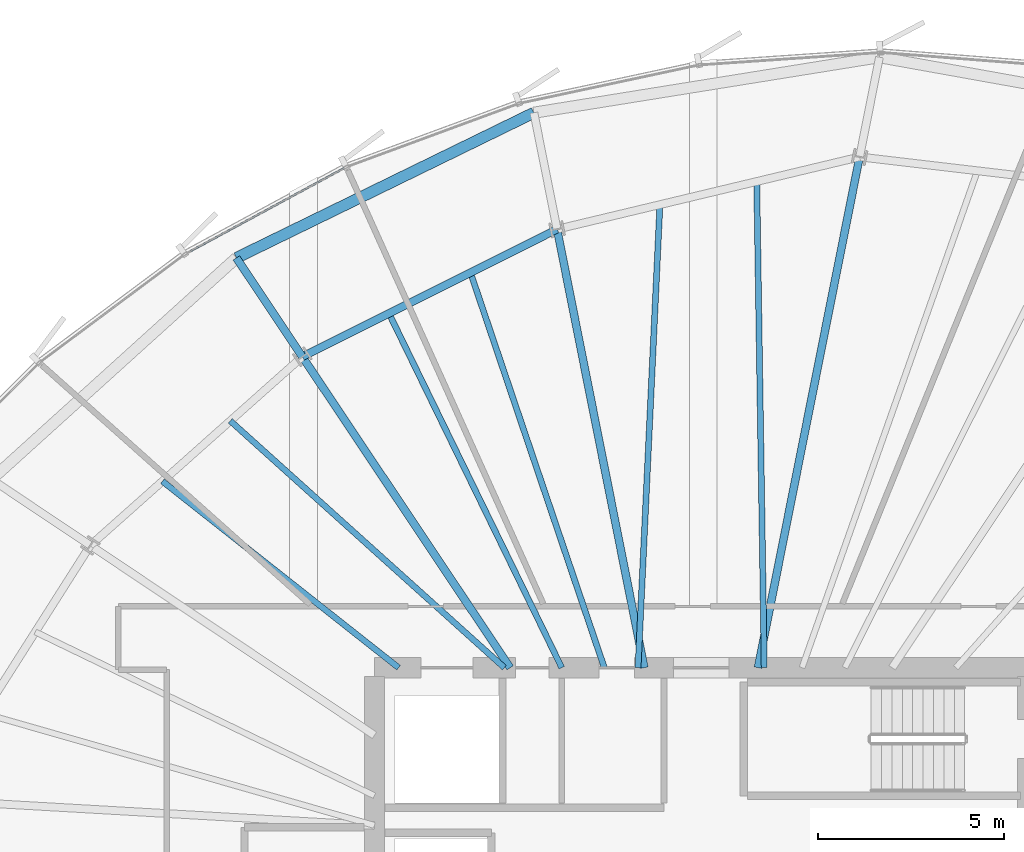
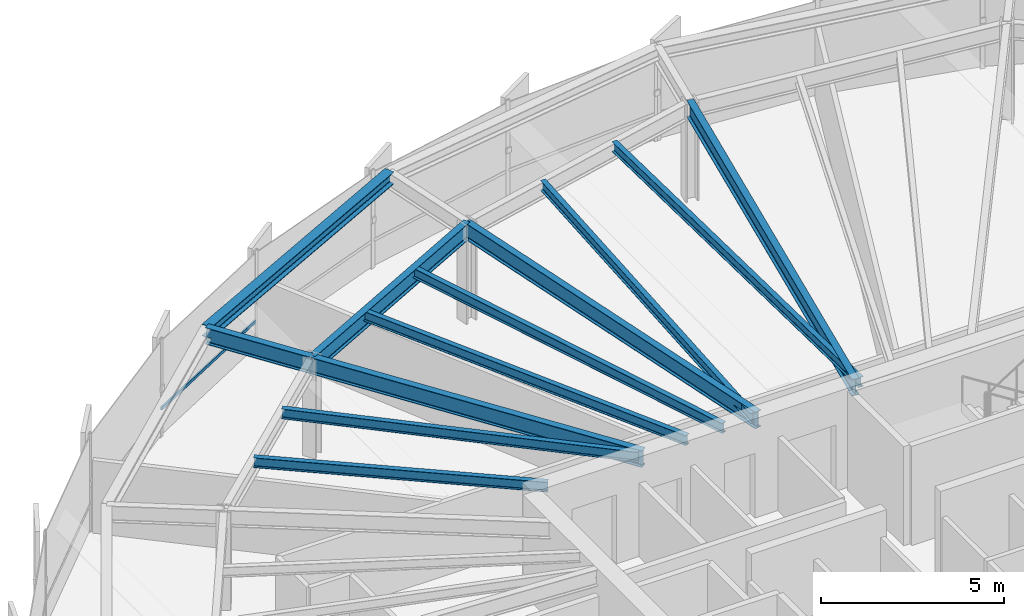
# One storey, part 22 of 37: 12 beams, 1 member, 1 element without a shape of its own.
"""IFC4 building model written with IfcOpenShell, lengths in metres."""

from ifc_helpers import new_model, si_unit, direction, frame, origin, origin_2d, place, context, subcontext, project, spatial, hollow_rectangle, i_section, extrude, source, transform, mapped, material, layer, layer_set, material_profile, profile_set, type_object, element, aggregate, save


model = new_model("IFC4")

# Units and contexts
model_context = context("Model", 3, precision=1e-05, world=origin(), true_north=direction((0.0, 1.0)))
body_context = subcontext(model_context, "Body", "Model", "MODEL_VIEW")
ifc_project = project(units=[si_unit("LENGTHUNIT", "METRE"), si_unit("AREAUNIT", "SQUARE_METRE"), si_unit("VOLUMEUNIT", "CUBIC_METRE"), si_unit("PLANEANGLEUNIT", "RADIAN"), si_unit("MASSUNIT", "GRAM", prefix="KILO"), si_unit("THERMODYNAMICTEMPERATUREUNIT", "KELVIN")], contexts=[model_context])

# Site, building, storey
site_placement = place(None, origin())
site = spatial("IfcSite", under=ifc_project, at=site_placement, CompositionType="ELEMENT")
building_placement = place(site_placement, origin())
building = spatial("IfcBuilding", under=site, at=building_placement, Name="Kethvar Cultural Tower", CompositionType="ELEMENT")
storey_placement = place(building_placement, frame((0.0, 0.0, 132.35009765625)))
storey = spatial("IfcBuildingStorey", under=building, at=storey_placement, Name="L33", CompositionType="ELEMENT", Elevation=132.35009765625)

# Beams
ifc_material_1 = material(Name="Steel S355J2", Category="steel")
ifc_material_profile_1 = material_profile(ifc_material_1, i_section(OverallWidth=0.2099609375, OverallDepth=0.550048828125, WebThickness=0.010986328125, FlangeThickness=0.01708984375, FilletRadius=0.02392578125, at=origin_2d()), Name="Steel S355J2 — IPE550")
ifc_profile_set_1 = profile_set([ifc_material_profile_1], Name="Steel S355J2 — IPE550")
beam_type_1 = type_object("IfcBeamType", Name="BM-IPE550", PredefinedType="BEAM", material=ifc_profile_set_1)
shared_shape_1 = source(origin(), body_context, "Body", "SweptSolid", [
    extrude(i_section(OverallWidth=0.2099609375, OverallDepth=0.550048828125, WebThickness=0.010986328125, FlangeThickness=0.01708984375, FilletRadius=0.02392578125, at=origin_2d()), origin(), (0.0, 0.0, 1.0), 3.2001953125),
])
beam_1_placement = place(storey_placement, frame((36.0576171875, 43.877197265625, 3.02294921875), z_axis=(-0.555544970406, 0.831486491686, 0.0), x_axis=(-0.831486491686, -0.555544970406, 0.0)))
element("IfcBeam", 1, at=beam_1_placement, inside=storey, type_object=beam_type_1, Name="L33 Perimeter Cantilever Beam RC-06", PredefinedType="BEAM", context=body_context, shape_type="MappedRepresentation", body=[
    mapped(shared_shape_1, transform((0.0, 0.0, 0.0), scale=1.0)),
])
shared_shape_2 = source(origin(), body_context, "Body", "SweptSolid", [
    extrude(i_section(OverallWidth=0.2099609375, OverallDepth=0.550048828125, WebThickness=0.010986328125, FlangeThickness=0.01708984375, FilletRadius=0.02392578125, at=origin_2d()), origin(), (0.0, 0.0, 1.0), 14.02880859375),
])
beam_2_placement = place(storey_placement, frame((48.33154296875, 35.5, 3.02294921875), z_axis=(0.195101986683, 0.980782960085, 0.0), x_axis=(-0.980782960085, 0.195101986683, 0.0)))
element("IfcBeam", 2, at=beam_2_placement, inside=storey, type_object=beam_type_1, Name="L33 Primary Radial Beam RB-04", PredefinedType="BEAM", context=body_context, shape_type="MappedRepresentation", body=[
    mapped(shared_shape_2, transform((0.0, 0.0, 0.0), scale=1.0)),
])
shared_shape_3 = source(origin(), body_context, "Body", "SweptSolid", [
    extrude(i_section(OverallWidth=0.2099609375, OverallDepth=0.550048828125, WebThickness=0.010986328125, FlangeThickness=0.01708984375, FilletRadius=0.02392578125, at=origin_2d()), origin(), (0.0, 0.0, 1.0), 12.042724609375),
])
beam_3_placement = place(storey_placement, frame((45.268310546875, 35.5, 3.02294921875), z_axis=(-0.195086784047, 0.980785984142, 0.0), x_axis=(-0.980785984142, -0.195086784047, 0.0)))
element("IfcBeam", 3, at=beam_3_placement, inside=storey, type_object=beam_type_1, Name="L33 Primary Radial Beam RB-05", PredefinedType="BEAM", context=body_context, shape_type="MappedRepresentation", body=[
    mapped(shared_shape_3, transform((0.0, 0.0, 0.0), scale=1.0)),
])
shared_shape_4 = source(origin(), body_context, "Body", "SweptSolid", [
    extrude(i_section(OverallWidth=0.2099609375, OverallDepth=0.550048828125, WebThickness=0.010986328125, FlangeThickness=0.01708984375, FilletRadius=0.02392578125, at=origin_2d()), origin(), (0.0, 0.0, 1.0), 10.0751953125),
])
beam_4_placement = place(storey_placement, frame((41.655029296875, 35.5, 3.02294921875), z_axis=(-0.555566654614, 0.831472003305, 0.0), x_axis=(-0.831472003305, -0.555566654614, 0.0)))
element("IfcBeam", 4, at=beam_4_placement, inside=storey, type_object=beam_type_1, Name="L33 Primary Radial Beam RB-06", PredefinedType="BEAM", context=body_context, shape_type="MappedRepresentation", body=[
    mapped(shared_shape_4, transform((0.0, 0.0, 0.0), scale=1.0)),
])
ifc_material_profile_2 = material_profile(ifc_material_1, i_section(OverallWidth=0.159912109375, OverallDepth=0.330078125, WebThickness=0.007568359375, FlangeThickness=0.011474609375, FilletRadius=0.01806640625, at=origin_2d()), Name="Steel S355J2 — IPE330")
ifc_profile_set_2 = profile_set([ifc_material_profile_2], Name="Steel S355J2 — IPE330")
beam_type_2 = type_object("IfcBeamType", Name="BM-J330", PredefinedType="JOIST", material=ifc_profile_set_2)
shared_shape_5 = source(origin(), body_context, "Body", "SweptSolid", [
    extrude(i_section(OverallWidth=0.159912109375, OverallDepth=0.330078125, WebThickness=0.007568359375, FlangeThickness=0.011474609375, FilletRadius=0.01806640625, at=origin_2d()), origin(), (0.0, 0.0, 1.0), 13.098388671875),
])
beam_5_placement = place(storey_placement, frame((48.5, 35.5, 3.1328125), z_axis=(-0.015451599057, 0.999880616917, 0.0), x_axis=(-0.999880616917, -0.015451599057, 0.0)))
element("IfcBeam", 5, at=beam_5_placement, inside=storey, type_object=beam_type_2, Name="L33 Composite Floor Joist J-04A", PredefinedType="JOIST", context=body_context, shape_type="MappedRepresentation", body=[
    mapped(shared_shape_5, transform((0.0, 0.0, 0.0), scale=1.0)),
])
shared_shape_6 = source(origin(), body_context, "Body", "SweptSolid", [
    extrude(i_section(OverallWidth=0.159912109375, OverallDepth=0.330078125, WebThickness=0.007568359375, FlangeThickness=0.011474609375, FilletRadius=0.01806640625, at=origin_2d()), origin(), (0.0, 0.0, 1.0), 12.487548828125),
])
beam_6_placement = place(storey_placement, frame((45.10009765625, 35.5, 3.1328125), z_axis=(0.047214958818, 0.998884751943, 0.0), x_axis=(-0.998884751943, 0.047214958818, 0.0)))
element("IfcBeam", 6, at=beam_6_placement, inside=storey, type_object=beam_type_2, Name="L33 Composite Floor Joist J-04B", PredefinedType="JOIST", context=body_context, shape_type="MappedRepresentation", body=[
    mapped(shared_shape_6, transform((0.0, 0.0, 0.0), scale=1.0)),
])
shared_shape_7 = source(origin(), body_context, "Body", "SweptSolid", [
    extrude(i_section(OverallWidth=0.2099609375, OverallDepth=0.550048828125, WebThickness=0.010986328125, FlangeThickness=0.01708984375, FilletRadius=0.02392578125, at=origin_2d()), origin(), (0.0, 0.0, 1.0), 7.672607421875),
])
beam_7_placement = place(storey_placement, frame((42.9189453125, 47.311279296875, 3.02294921875), z_axis=(-0.894248932057, -0.447569935892, 0.0), x_axis=(0.447569935892, -0.894248932057, 0.0)))
element("IfcBeam", 7, at=beam_7_placement, inside=storey, type_object=beam_type_1, Name="L33 Column Ring Tie Beam CR-05", PredefinedType="BEAM", context=body_context, shape_type="MappedRepresentation", body=[
    mapped(shared_shape_7, transform((0.0, 0.0, 0.0), scale=1.0)),
])
shared_shape_8 = source(origin(), body_context, "Body", "SweptSolid", [
    extrude(i_section(OverallWidth=0.159912109375, OverallDepth=0.330078125, WebThickness=0.007568359375, FlangeThickness=0.011474609375, FilletRadius=0.01806640625, at=origin_2d()), origin(), (0.0, 0.0, 1.0), 11.23779296875),
])
beam_8_placement = place(storey_placement, frame((44.191650390625, 35.5, 3.1328125), z_axis=(-0.32083186626, 0.94713616423, 0.0), x_axis=(-0.94713616423, -0.32083186626, 0.0)))
element("IfcBeam", 8, at=beam_8_placement, inside=storey, type_object=beam_type_2, Name="L33 Composite Floor Joist J-05A", PredefinedType="JOIST", context=body_context, shape_type="MappedRepresentation", body=[
    mapped(shared_shape_8, transform((0.0, 0.0, 0.0), scale=1.0)),
])
shared_shape_9 = source(origin(), body_context, "Body", "SweptSolid", [
    extrude(i_section(OverallWidth=0.159912109375, OverallDepth=0.330078125, WebThickness=0.007568359375, FlangeThickness=0.011474609375, FilletRadius=0.01806640625, at=origin_2d()), origin(), (0.0, 0.0, 1.0), 10.619384765625),
])
beam_9_placement = place(storey_placement, frame((43.044921875, 35.5, 3.1328125), z_axis=(-0.438308125028, 0.898824781331, 0.0), x_axis=(-0.898824781331, -0.438308125028, 0.0)))
element("IfcBeam", 9, at=beam_9_placement, inside=storey, type_object=beam_type_2, Name="L33 Composite Floor Joist J-05B", PredefinedType="JOIST", context=body_context, shape_type="MappedRepresentation", body=[
    mapped(shared_shape_9, transform((0.0, 0.0, 0.0), scale=1.0)),
])
shared_shape_10 = source(origin(), body_context, "Body", "SweptSolid", [
    extrude(i_section(OverallWidth=0.159912109375, OverallDepth=0.330078125, WebThickness=0.007568359375, FlangeThickness=0.011474609375, FilletRadius=0.01806640625, at=origin_2d()), origin(), (0.0, 0.0, 1.0), 9.93701171875),
])
beam_10_placement = place(storey_placement, frame((41.5, 35.5, 3.1328125), z_axis=(-0.743138974967, 0.669137103952, 0.0), x_axis=(-0.669137103952, -0.743138974967, 0.0)))
element("IfcBeam", 10, at=beam_10_placement, inside=storey, type_object=beam_type_2, Name="L33 Composite Floor Joist J-06A", PredefinedType="JOIST", context=body_context, shape_type="MappedRepresentation", body=[
    mapped(shared_shape_10, transform((0.0, 0.0, 0.0), scale=1.0)),
])
shared_shape_11 = source(origin(), body_context, "Body", "SweptSolid", [
    extrude(i_section(OverallWidth=0.159912109375, OverallDepth=0.330078125, WebThickness=0.007568359375, FlangeThickness=0.011474609375, FilletRadius=0.01806640625, at=origin_2d()), origin(), (0.0, 0.0, 1.0), 8.105712890625),
])
beam_11_placement = place(storey_placement, frame((38.64990234375, 35.5, 3.1328125), z_axis=(-0.784895872164, 0.619627686486, 0.0), x_axis=(-0.619627686486, -0.784895872164, 0.0)))
element("IfcBeam", 11, at=beam_11_placement, inside=storey, type_object=beam_type_2, Name="L33 Composite Floor Joist J-06B", PredefinedType="JOIST", context=body_context, shape_type="MappedRepresentation", body=[
    mapped(shared_shape_11, transform((0.0, 0.0, 0.0), scale=1.0)),
])
ifc_material_profile_3 = material_profile(ifc_material_1, i_section(OverallWidth=0.300048828125, OverallDepth=0.39990234375, WebThickness=0.013427734375, FlangeThickness=0.02392578125, FilletRadius=0.027099609375, at=origin_2d()), Name="Steel S355J2 — HEB400")
ifc_profile_set_3 = profile_set([ifc_material_profile_3], Name="Steel S355J2 — HEB400")
beam_type_3 = type_object("IfcBeamType", Name="BM-SP400", PredefinedType="SPANDREL", material=ifc_profile_set_3)
shared_shape_12 = source(origin(), body_context, "Body", "SweptSolid", [
    extrude(i_section(OverallWidth=0.300048828125, OverallDepth=0.39990234375, WebThickness=0.013427734375, FlangeThickness=0.02392578125, FilletRadius=0.027099609375, at=origin_2d()), origin(), (0.0, 0.0, 1.0), 8.91845703125),
])
beam_12_placement = place(storey_placement, frame((42.294677734375, 50.44970703125, 3.097900390625), z_axis=(-0.898683713341, -0.438597290662, 0.0), x_axis=(0.438597290662, -0.898683713341, 0.0)))
element("IfcBeam", 12, at=beam_12_placement, inside=storey, type_object=beam_type_3, Name="L33 Perimeter Spandrel Beam SP-05", PredefinedType="SPANDREL", context=body_context, shape_type="MappedRepresentation", body=[
    mapped(shared_shape_12, transform((0.0, 0.0, 0.0), scale=1.0)),
])

# Curtain wall, member
ifc_material_2 = material(Name="Aluminium 6063-T6", Category="aluminium")
ifc_layer = layer(ifc_material_2, 0.179931640625, Name="Aluminium 6063-T6", Category="aluminium")
ifc_layer_set = layer_set([ifc_layer], Name="Aluminium 6063-T6 (180 mm)")
curtain_wall_type = type_object("IfcCurtainWallType", Name="CW-SYS-04-Z34", PredefinedType="NOTDEFINED", material=ifc_layer_set)
curtain_wall_placement = place(storey_placement, origin())
curtain_wall = element("IfcCurtainWall", 13, at=curtain_wall_placement, inside=storey, type_object=curtain_wall_type, Name="L33 Curtain Wall Run 02", PredefinedType="NOTDEFINED")
ifc_material_profile_4 = material_profile(ifc_material_2, hollow_rectangle(XDim=0.050048828125, YDim=0.10009765625, WallThickness=0.00390625, at=origin_2d()), Name="Aluminium 6063-T6 — RHS100x50x4")
ifc_profile_set_4 = profile_set([ifc_material_profile_4], Name="Aluminium 6063-T6 — RHS100x50x4")
member_type = type_object("IfcMemberType", Name="CW-SYS-04-Z34-TRN", PredefinedType="USERDEFINED", material=ifc_profile_set_4)
shared_shape_13 = source(origin(), body_context, "Body", "SweptSolid", [
    extrude(hollow_rectangle(XDim=0.050048828125, YDim=0.10009765625, WallThickness=0.00390625, at=origin_2d()), origin(), (0.0, 0.0, 1.0), 4.87353515625),
])
member_placement = place(storey_placement, frame((37.203125, 48.968994140625, 0.949951171875), z_axis=(-0.879630041867, -0.475658479841, 0.0), x_axis=(0.475658479841, -0.879630041867, 0.0)))
member = element("IfcMember", 14, at=member_placement, type_object=member_type, Name="CW-L33-R02 Transom 4", ObjectType="TRANSOM", PredefinedType="USERDEFINED", context=body_context, shape_type="MappedRepresentation", body=[
    mapped(shared_shape_13, transform((0.0, 0.0, 0.0), scale=1.0)),
])
aggregate(curtain_wall, [member])

save(model, "model.ifc")
